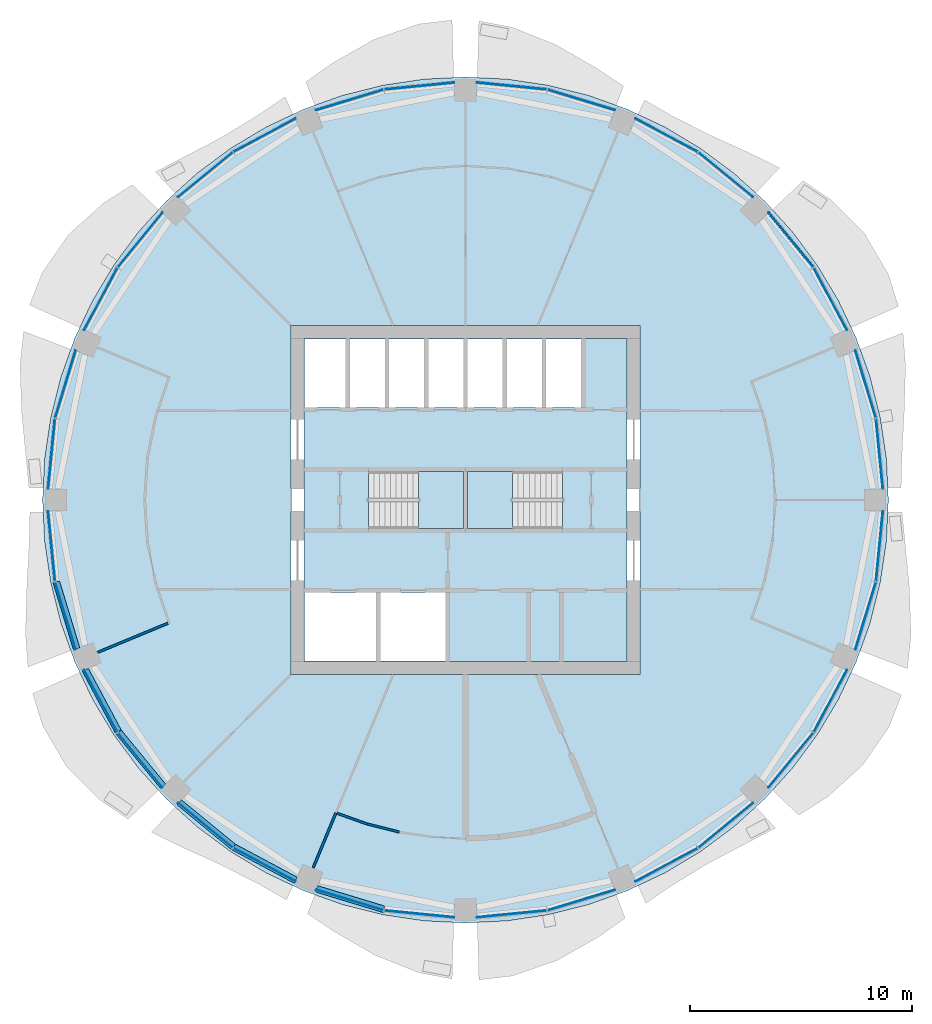
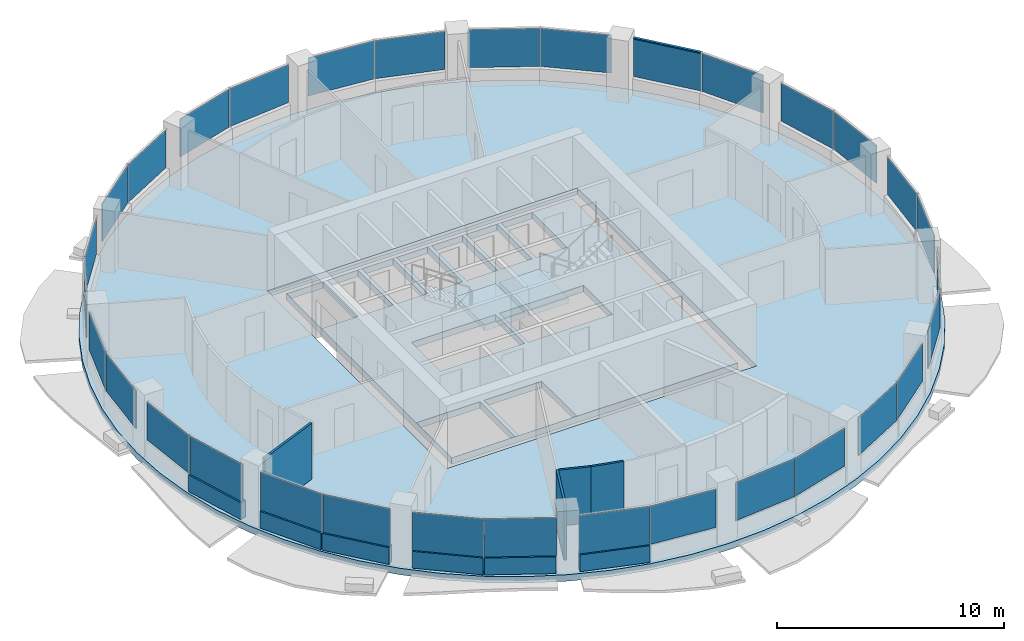
# One storey, part 7 of 15: 32 plates, 10 walls, 4 slabs, 1 member, 18 elements without a shape of their own.
"""IFC4 building model written with IfcOpenShell, lengths in metres."""

from ifc_helpers import new_model, si_unit, direction, frame, frame_2d, origin, origin_2d, place, context, subcontext, project, spatial, polyline, rectangle, outline, extrude, material, layer, layer_set, material_profile, profile_set, type_object, element, aggregate, save


model = new_model("IFC4")

# Units and contexts
model_context = context("Model", 3, precision=1e-05, world=origin(), true_north=direction((0.0, 1.0)))
body_context = subcontext(model_context, "Body", "Model", "MODEL_VIEW")
ifc_project = project(units=[si_unit("LENGTHUNIT", "METRE"), si_unit("AREAUNIT", "SQUARE_METRE"), si_unit("VOLUMEUNIT", "CUBIC_METRE"), si_unit("PLANEANGLEUNIT", "RADIAN"), si_unit("MASSUNIT", "GRAM", prefix="KILO")], contexts=[model_context])

# Site, building, storey
site_placement = place(None, origin())
site = spatial("IfcSite", under=ifc_project, at=site_placement, CompositionType="ELEMENT")
building_placement = place(site_placement, origin())
building = spatial("IfcBuilding", under=site, at=building_placement, Name="Polderwave Tower", CompositionType="ELEMENT")
storey_placement = place(building_placement, frame((0.0, 0.0, 127.64990234375)))
storey = spatial("IfcBuildingStorey", under=building, at=storey_placement, Name="L33", CompositionType="ELEMENT", Elevation=127.64990234375)

# Curtain wall, member
ifc_material_1 = material(Name="Aluminium 6063-T6 and glass", Category="aluminium")
curtain_wall_type = type_object("IfcCurtainWallType", Name="Office ribbon glazing wall", PredefinedType="NOTDEFINED", material=ifc_material_1)
curtain_wall_1_placement = place(storey_placement, origin())
curtain_wall_1 = element("IfcCurtainWall", 1, at=curtain_wall_1_placement, inside=storey, type_object=curtain_wall_type, Name="CW3 L33 01", PredefinedType="NOTDEFINED")
ifc_material_2 = material(Name="Aluminium 6063-T6", Category="aluminium")
ifc_material_profile = material_profile(ifc_material_2, rectangle(XDim=0.1201171875, YDim=0.06005859375, at=origin_2d()), Name="AL 60x120")
ifc_profile_set = profile_set([ifc_material_profile], Name="Aluminium 6063-T6")
member_type = type_object("IfcMemberType", Name="Office ribbon glazing transom 60x120", PredefinedType="USERDEFINED", material=ifc_profile_set)
member_placement = place(storey_placement, frame((15.66455078125, 10.499267578125, 2.97021484375), z_axis=(-0.634374481569, 0.773025883871, 0.0), x_axis=(-0.773025883871, -0.634374481569, 0.0)))
member = element("IfcMember", 2, at=member_placement, type_object=member_type, Name="CW3 transom 2", ObjectType="TRANSOM", PredefinedType="USERDEFINED", context=body_context, shape_type="SweptSolid", body=[
    extrude(rectangle(XDim=0.1201171875, YDim=0.06005859375, at=origin_2d()), origin(), (0.0, 0.0, 1.0), 3.167724609375),
])

# Slab
ifc_material_3 = material(Name="Concrete C40/50", Category="concrete")
ifc_layer_1 = layer(ifc_material_3, 0.35009765625)
ifc_layer_set_1 = layer_set([ifc_layer_1], Name="Core floor slab 350")
slab_type_1 = type_object("IfcSlabType", Name="Core floor slab 350", PredefinedType="FLOOR", material=ifc_layer_set_1)
slab_1_placement = place(storey_placement, frame((0.0, 0.0, -0.349853515625)))
element("IfcSlab", 3, at=slab_1_placement, inside=storey, type_object=slab_type_1, Name="L33 core floor", PredefinedType="FLOOR", context=body_context, shape_type="SweptSolid", body=[
    extrude(outline(polyline([(-7.27392578125, -7.27392578125), (7.27392578125, -7.27392578125), (7.27392578125, 7.27392578125), (-7.27392578125, 7.27392578125), (-7.27392578125, -7.27392578125)]), holes=[polyline([(-7.25390625, -7.25390625), (-4.037109375, -7.25390625), (-4.037109375, -4.174072265625), (-7.25390625, -4.174072265625), (-7.25390625, -7.25390625)]), polyline([(-3.8369140625, -7.25390625), (-0.89990234375, -7.25390625), (-0.89990234375, -4.174072265625), (-3.8369140625, -4.174072265625), (-3.8369140625, -7.25390625)]), polyline([(-7.25390625, 4.174072265625), (-5.405517578125, 4.174072265625), (-5.405517578125, 7.25390625), (-7.25390625, 7.25390625), (-7.25390625, 4.174072265625)]), polyline([(-5.20556640625, 4.174072265625), (-3.636962890625, 4.174072265625), (-3.636962890625, 7.25390625), (-5.20556640625, 7.25390625), (-5.20556640625, 4.174072265625)]), polyline([(-3.43701171875, 4.174072265625), (-1.868408203125, 4.174072265625), (-1.868408203125, 7.25390625), (-3.43701171875, 7.25390625), (-3.43701171875, 4.174072265625)]), polyline([(-1.66845703125, 4.174072265625), (-0.10009765625, 4.174072265625), (-0.10009765625, 7.25390625), (-1.66845703125, 7.25390625), (-1.66845703125, 4.174072265625)]), polyline([(0.10009765625, 4.174072265625), (1.66845703125, 4.174072265625), (1.66845703125, 7.25390625), (0.10009765625, 7.25390625), (0.10009765625, 4.174072265625)]), polyline([(1.868408203125, 4.174072265625), (3.43701171875, 4.174072265625), (3.43701171875, 7.25390625), (1.868408203125, 7.25390625), (1.868408203125, 4.174072265625)]), polyline([(3.636962890625, 4.174072265625), (5.20556640625, 4.174072265625), (5.20556640625, 7.25390625), (3.636962890625, 7.25390625), (3.636962890625, 4.174072265625)]), polyline([(-4.37353515625, -1.2744140625), (-0.1005859375, -1.2744140625), (-0.1005859375, 1.2744140625), (-4.37353515625, 1.2744140625), (-4.37353515625, -1.2744140625)]), polyline([(0.1005859375, -1.2744140625), (4.37353515625, -1.2744140625), (4.37353515625, 1.2744140625), (0.1005859375, 1.2744140625), (0.1005859375, -1.2744140625)])]), origin(), (0.0, 0.0, 1.0), 0.349853515625),
])

# Curtain wall, plates
curtain_wall_2_placement = place(storey_placement, origin())
curtain_wall_2 = element("IfcCurtainWall", 4, at=curtain_wall_2_placement, inside=storey, type_object=curtain_wall_type, Name="CW3 L33 00", PredefinedType="NOTDEFINED")
ifc_material_4 = material(Name="Glass, low-e laminated double glazing", Category="glass")
ifc_layer_2 = layer(ifc_material_4, 0.031982421875)
ifc_layer_set_2 = layer_set([ifc_layer_2], Name="Office ribbon glazing glass panel 32 mm")
plate_type = type_object("IfcPlateType", Name="Office ribbon glazing glass panel 32 mm", PredefinedType="CURTAIN_PANEL", material=ifc_layer_set_2)
plate_1_placement = place(storey_placement, frame((18.65576171875, 2.07568359375, 0.900146484375), z_axis=(0.0, 0.0, 1.0), x_axis=(-0.0979841387, 0.995187976496, 0.0)))
plate_1 = element("IfcPlate", 5, at=plate_1_placement, type_object=plate_type, Name="CW3 panel 1", PredefinedType="CURTAIN_PANEL", context=body_context, shape_type="SweptSolid", body=[
    extrude(rectangle(XDim=3.1669921875, YDim=0.031982421875, at=origin_2d()), origin(), (0.0, 0.0, 1.0), 2.0400390625),
])
plate_2_placement = place(storey_placement, frame((18.030029296875, 5.22119140625, 0.900146484375), z_axis=(0.0, 0.0, 1.0), x_axis=(-0.290389896585, 0.95690841148, 0.0)))
plate_2 = element("IfcPlate", 6, at=plate_2_placement, type_object=plate_type, Name="CW3 panel 2", PredefinedType="CURTAIN_PANEL", context=body_context, shape_type="SweptSolid", body=[
    extrude(rectangle(XDim=3.168212890625, YDim=0.031982421875, at=origin_2d()), origin(), (0.0, 0.0, 1.0), 2.0400390625),
])
aggregate(curtain_wall_2, [plate_1, plate_2])

# Plate
plate_3_placement = place(storey_placement, frame((16.44140625, 9.057373046875, 0.900146484375), z_axis=(0.0, 0.0, 1.0), x_axis=(-0.471466001306, 0.881884238215, 0.0)))
plate_3 = element("IfcPlate", 7, at=plate_3_placement, type_object=plate_type, Name="CW3 panel 1", PredefinedType="CURTAIN_PANEL", context=body_context, shape_type="SweptSolid", body=[
    extrude(rectangle(XDim=3.166748046875, YDim=0.031982421875, at=origin_2d()), origin(), (0.0, 0.0, 1.0), 2.0400390625),
])

plate_4_placement = place(storey_placement, frame((14.659912109375, 11.7236328125, 0.900146484375), z_axis=(0.0, 0.0, 1.0), x_axis=(-0.634378443311, 0.773022632697, 0.0)))
plate_4 = element("IfcPlate", 8, at=plate_4_placement, type_object=plate_type, Name="CW3 panel 2", PredefinedType="CURTAIN_PANEL", context=body_context, shape_type="SweptSolid", body=[
    extrude(rectangle(XDim=3.167724609375, YDim=0.031982421875, at=origin_2d()), origin(), (0.0, 0.0, 1.0), 2.0400390625),
])

aggregate(curtain_wall_1, [member, plate_3, plate_4])

# Curtain wall, plates
curtain_wall_3_placement = place(storey_placement, origin())
curtain_wall_3 = element("IfcCurtainWall", 9, at=curtain_wall_3_placement, inside=storey, type_object=curtain_wall_type, Name="CW3 L33 02", PredefinedType="NOTDEFINED")
plate_5_placement = place(storey_placement, frame((11.7236328125, 14.659912109375, 0.900146484375), z_axis=(0.0, 0.0, 1.0), x_axis=(-0.773022632697, 0.634378443311, 0.0)))
plate_5 = element("IfcPlate", 10, at=plate_5_placement, type_object=plate_type, Name="CW3 panel 1", PredefinedType="CURTAIN_PANEL", context=body_context, shape_type="SweptSolid", body=[
    extrude(rectangle(XDim=3.167724609375, YDim=0.031982421875, at=origin_2d()), origin(), (0.0, 0.0, 1.0), 2.0400390625),
])
plate_6_placement = place(storey_placement, frame((9.057373046875, 16.44140625, 0.900146484375), z_axis=(0.0, 0.0, 1.0), x_axis=(-0.881884238215, 0.471466001306, 0.0)))
plate_6 = element("IfcPlate", 11, at=plate_6_placement, type_object=plate_type, Name="CW3 panel 2", PredefinedType="CURTAIN_PANEL", context=body_context, shape_type="SweptSolid", body=[
    extrude(rectangle(XDim=3.166748046875, YDim=0.031982421875, at=origin_2d()), origin(), (0.0, 0.0, 1.0), 2.0400390625),
])
aggregate(curtain_wall_3, [plate_5, plate_6])

curtain_wall_4_placement = place(storey_placement, origin())
curtain_wall_4 = element("IfcCurtainWall", 12, at=curtain_wall_4_placement, inside=storey, type_object=curtain_wall_type, Name="CW3 L33 03", PredefinedType="NOTDEFINED")
plate_7_placement = place(storey_placement, frame((5.22119140625, 18.030029296875, 0.900146484375), z_axis=(0.0, 0.0, 1.0), x_axis=(-0.95690841148, 0.290389896585, 0.0)))
plate_7 = element("IfcPlate", 13, at=plate_7_placement, type_object=plate_type, Name="CW3 panel 1", PredefinedType="CURTAIN_PANEL", context=body_context, shape_type="SweptSolid", body=[
    extrude(rectangle(XDim=3.168212890625, YDim=0.031982421875, at=origin_2d()), origin(), (0.0, 0.0, 1.0), 2.0400390625),
])
plate_8_placement = place(storey_placement, frame((2.07568359375, 18.65576171875, 0.900146484375), z_axis=(0.0, 0.0, 1.0), x_axis=(-0.995187976496, 0.0979841387, 0.0)))
plate_8 = element("IfcPlate", 14, at=plate_8_placement, type_object=plate_type, Name="CW3 panel 2", PredefinedType="CURTAIN_PANEL", context=body_context, shape_type="SweptSolid", body=[
    extrude(rectangle(XDim=3.1669921875, YDim=0.031982421875, at=origin_2d()), origin(), (0.0, 0.0, 1.0), 2.0400390625),
])
aggregate(curtain_wall_4, [plate_7, plate_8])

curtain_wall_5_placement = place(storey_placement, origin())
curtain_wall_5 = element("IfcCurtainWall", 15, at=curtain_wall_5_placement, inside=storey, type_object=curtain_wall_type, Name="CW3 L33 04", PredefinedType="NOTDEFINED")
plate_9_placement = place(storey_placement, frame((-2.07568359375, 18.65576171875, 0.900146484375), z_axis=(0.0, 0.0, 1.0), x_axis=(-0.995187976496, -0.0979841387, 0.0)))
plate_9 = element("IfcPlate", 16, at=plate_9_placement, type_object=plate_type, Name="CW3 panel 1", PredefinedType="CURTAIN_PANEL", context=body_context, shape_type="SweptSolid", body=[
    extrude(rectangle(XDim=3.1669921875, YDim=0.031982421875, at=origin_2d()), origin(), (0.0, 0.0, 1.0), 2.0400390625),
])
plate_10_placement = place(storey_placement, frame((-5.22119140625, 18.030029296875, 0.900146484375), z_axis=(0.0, 0.0, 1.0), x_axis=(-0.95690841148, -0.290389896585, 0.0)))
plate_10 = element("IfcPlate", 17, at=plate_10_placement, type_object=plate_type, Name="CW3 panel 2", PredefinedType="CURTAIN_PANEL", context=body_context, shape_type="SweptSolid", body=[
    extrude(rectangle(XDim=3.168212890625, YDim=0.031982421875, at=origin_2d()), origin(), (0.0, 0.0, 1.0), 2.0400390625),
])
aggregate(curtain_wall_5, [plate_9, plate_10])

curtain_wall_6_placement = place(storey_placement, origin())
curtain_wall_6 = element("IfcCurtainWall", 18, at=curtain_wall_6_placement, inside=storey, type_object=curtain_wall_type, Name="CW3 L33 05", PredefinedType="NOTDEFINED")
plate_11_placement = place(storey_placement, frame((-9.057373046875, 16.44140625, 0.900146484375), z_axis=(0.0, 0.0, 1.0), x_axis=(-0.881884238215, -0.471466001306, 0.0)))
plate_11 = element("IfcPlate", 19, at=plate_11_placement, type_object=plate_type, Name="CW3 panel 1", PredefinedType="CURTAIN_PANEL", context=body_context, shape_type="SweptSolid", body=[
    extrude(rectangle(XDim=3.166748046875, YDim=0.031982421875, at=origin_2d()), origin(), (0.0, 0.0, 1.0), 2.0400390625),
])
plate_12_placement = place(storey_placement, frame((-11.7236328125, 14.659912109375, 0.900146484375), z_axis=(0.0, 0.0, 1.0), x_axis=(-0.773022632697, -0.634378443311, 0.0)))
plate_12 = element("IfcPlate", 20, at=plate_12_placement, type_object=plate_type, Name="CW3 panel 2", PredefinedType="CURTAIN_PANEL", context=body_context, shape_type="SweptSolid", body=[
    extrude(rectangle(XDim=3.167724609375, YDim=0.031982421875, at=origin_2d()), origin(), (0.0, 0.0, 1.0), 2.0400390625),
])
aggregate(curtain_wall_6, [plate_11, plate_12])

curtain_wall_7_placement = place(storey_placement, origin())
curtain_wall_7 = element("IfcCurtainWall", 21, at=curtain_wall_7_placement, inside=storey, type_object=curtain_wall_type, Name="CW3 L33 06", PredefinedType="NOTDEFINED")
plate_13_placement = place(storey_placement, frame((-14.659912109375, 11.7236328125, 0.900146484375), z_axis=(0.0, 0.0, 1.0), x_axis=(-0.634378443311, -0.773022632697, 0.0)))
plate_13 = element("IfcPlate", 22, at=plate_13_placement, type_object=plate_type, Name="CW3 panel 1", PredefinedType="CURTAIN_PANEL", context=body_context, shape_type="SweptSolid", body=[
    extrude(rectangle(XDim=3.167724609375, YDim=0.031982421875, at=origin_2d()), origin(), (0.0, 0.0, 1.0), 2.0400390625),
])
plate_14_placement = place(storey_placement, frame((-16.44140625, 9.057373046875, 0.900146484375), z_axis=(0.0, 0.0, 1.0), x_axis=(-0.471466001306, -0.881884238215, 0.0)))
plate_14 = element("IfcPlate", 23, at=plate_14_placement, type_object=plate_type, Name="CW3 panel 2", PredefinedType="CURTAIN_PANEL", context=body_context, shape_type="SweptSolid", body=[
    extrude(rectangle(XDim=3.166748046875, YDim=0.031982421875, at=origin_2d()), origin(), (0.0, 0.0, 1.0), 2.0400390625),
])
aggregate(curtain_wall_7, [plate_13, plate_14])

curtain_wall_8_placement = place(storey_placement, origin())
curtain_wall_8 = element("IfcCurtainWall", 24, at=curtain_wall_8_placement, inside=storey, type_object=curtain_wall_type, Name="CW3 L33 07", PredefinedType="NOTDEFINED")
plate_15_placement = place(storey_placement, frame((-18.030029296875, 5.22119140625, 0.900146484375), z_axis=(0.0, 0.0, 1.0), x_axis=(-0.290389896585, -0.95690841148, 0.0)))
plate_15 = element("IfcPlate", 25, at=plate_15_placement, type_object=plate_type, Name="CW3 panel 1", PredefinedType="CURTAIN_PANEL", context=body_context, shape_type="SweptSolid", body=[
    extrude(rectangle(XDim=3.168212890625, YDim=0.031982421875, at=origin_2d()), origin(), (0.0, 0.0, 1.0), 2.0400390625),
])
plate_16_placement = place(storey_placement, frame((-18.65576171875, 2.07568359375, 0.900146484375), z_axis=(0.0, 0.0, 1.0), x_axis=(-0.0979841387, -0.995187976496, 0.0)))
plate_16 = element("IfcPlate", 26, at=plate_16_placement, type_object=plate_type, Name="CW3 panel 2", PredefinedType="CURTAIN_PANEL", context=body_context, shape_type="SweptSolid", body=[
    extrude(rectangle(XDim=3.1669921875, YDim=0.031982421875, at=origin_2d()), origin(), (0.0, 0.0, 1.0), 2.0400390625),
])
aggregate(curtain_wall_8, [plate_15, plate_16])

curtain_wall_9_placement = place(storey_placement, origin())
curtain_wall_9 = element("IfcCurtainWall", 27, at=curtain_wall_9_placement, inside=storey, type_object=curtain_wall_type, Name="CW3 L33 08", PredefinedType="NOTDEFINED")
plate_17_placement = place(storey_placement, frame((-18.65576171875, -2.07568359375, 0.900146484375), z_axis=(0.0, 0.0, 1.0), x_axis=(0.0979841387, -0.995187976496, 0.0)))
plate_17 = element("IfcPlate", 28, at=plate_17_placement, type_object=plate_type, Name="CW3 panel 1", PredefinedType="CURTAIN_PANEL", context=body_context, shape_type="SweptSolid", body=[
    extrude(rectangle(XDim=3.1669921875, YDim=0.031982421875, at=origin_2d()), origin(), (0.0, 0.0, 1.0), 2.0400390625),
])
plate_18_placement = place(storey_placement, frame((-18.030029296875, -5.22119140625, 0.900146484375), z_axis=(0.0, 0.0, 1.0), x_axis=(0.290389896585, -0.95690841148, 0.0)))
plate_18 = element("IfcPlate", 29, at=plate_18_placement, type_object=plate_type, Name="CW3 panel 2", PredefinedType="CURTAIN_PANEL", context=body_context, shape_type="SweptSolid", body=[
    extrude(rectangle(XDim=3.168212890625, YDim=0.031982421875, at=origin_2d()), origin(), (0.0, 0.0, 1.0), 2.0400390625),
])
aggregate(curtain_wall_9, [plate_17, plate_18])

curtain_wall_10_placement = place(storey_placement, origin())
curtain_wall_10 = element("IfcCurtainWall", 30, at=curtain_wall_10_placement, inside=storey, type_object=curtain_wall_type, Name="CW3 L33 09", PredefinedType="NOTDEFINED")
plate_19_placement = place(storey_placement, frame((-16.44140625, -9.057373046875, 0.900146484375), z_axis=(0.0, 0.0, 1.0), x_axis=(0.471466001306, -0.881884238215, 0.0)))
plate_19 = element("IfcPlate", 31, at=plate_19_placement, type_object=plate_type, Name="CW3 panel 1", PredefinedType="CURTAIN_PANEL", context=body_context, shape_type="SweptSolid", body=[
    extrude(rectangle(XDim=3.166748046875, YDim=0.031982421875, at=origin_2d()), origin(), (0.0, 0.0, 1.0), 2.0400390625),
])
plate_20_placement = place(storey_placement, frame((-14.659912109375, -11.7236328125, 0.900146484375), z_axis=(0.0, 0.0, 1.0), x_axis=(0.634378443311, -0.773022632697, 0.0)))
plate_20 = element("IfcPlate", 32, at=plate_20_placement, type_object=plate_type, Name="CW3 panel 2", PredefinedType="CURTAIN_PANEL", context=body_context, shape_type="SweptSolid", body=[
    extrude(rectangle(XDim=3.167724609375, YDim=0.031982421875, at=origin_2d()), origin(), (0.0, 0.0, 1.0), 2.0400390625),
])
aggregate(curtain_wall_10, [plate_19, plate_20])

curtain_wall_11_placement = place(storey_placement, origin())
curtain_wall_11 = element("IfcCurtainWall", 33, at=curtain_wall_11_placement, inside=storey, type_object=curtain_wall_type, Name="CW3 L33 10", PredefinedType="NOTDEFINED")
plate_21_placement = place(storey_placement, frame((-11.7236328125, -14.659912109375, 0.900146484375), z_axis=(0.0, 0.0, 1.0), x_axis=(0.773022632697, -0.634378443311, 0.0)))
plate_21 = element("IfcPlate", 34, at=plate_21_placement, type_object=plate_type, Name="CW3 panel 1", PredefinedType="CURTAIN_PANEL", context=body_context, shape_type="SweptSolid", body=[
    extrude(rectangle(XDim=3.167724609375, YDim=0.031982421875, at=origin_2d()), origin(), (0.0, 0.0, 1.0), 2.0400390625),
])
plate_22_placement = place(storey_placement, frame((-9.057373046875, -16.44140625, 0.900146484375), z_axis=(0.0, 0.0, 1.0), x_axis=(0.881884238215, -0.471466001306, 0.0)))
plate_22 = element("IfcPlate", 35, at=plate_22_placement, type_object=plate_type, Name="CW3 panel 2", PredefinedType="CURTAIN_PANEL", context=body_context, shape_type="SweptSolid", body=[
    extrude(rectangle(XDim=3.166748046875, YDim=0.031982421875, at=origin_2d()), origin(), (0.0, 0.0, 1.0), 2.0400390625),
])
aggregate(curtain_wall_11, [plate_21, plate_22])

curtain_wall_12_placement = place(storey_placement, origin())
curtain_wall_12 = element("IfcCurtainWall", 36, at=curtain_wall_12_placement, inside=storey, type_object=curtain_wall_type, Name="CW3 L33 11", PredefinedType="NOTDEFINED")
plate_23_placement = place(storey_placement, frame((-5.22119140625, -18.030029296875, 0.900146484375), z_axis=(0.0, 0.0, 1.0), x_axis=(0.95690841148, -0.290389896585, 0.0)))
plate_23 = element("IfcPlate", 37, at=plate_23_placement, type_object=plate_type, Name="CW3 panel 1", PredefinedType="CURTAIN_PANEL", context=body_context, shape_type="SweptSolid", body=[
    extrude(rectangle(XDim=3.168212890625, YDim=0.031982421875, at=origin_2d()), origin(), (0.0, 0.0, 1.0), 2.0400390625),
])
plate_24_placement = place(storey_placement, frame((-2.07568359375, -18.65576171875, 0.900146484375), z_axis=(0.0, 0.0, 1.0), x_axis=(0.995187976496, -0.0979841387, 0.0)))
plate_24 = element("IfcPlate", 38, at=plate_24_placement, type_object=plate_type, Name="CW3 panel 2", PredefinedType="CURTAIN_PANEL", context=body_context, shape_type="SweptSolid", body=[
    extrude(rectangle(XDim=3.1669921875, YDim=0.031982421875, at=origin_2d()), origin(), (0.0, 0.0, 1.0), 2.0400390625),
])
aggregate(curtain_wall_12, [plate_23, plate_24])

curtain_wall_13_placement = place(storey_placement, origin())
curtain_wall_13 = element("IfcCurtainWall", 39, at=curtain_wall_13_placement, inside=storey, type_object=curtain_wall_type, Name="CW3 L33 12", PredefinedType="NOTDEFINED")
plate_25_placement = place(storey_placement, frame((2.07568359375, -18.65576171875, 0.900146484375), z_axis=(0.0, 0.0, 1.0), x_axis=(0.995187976496, 0.0979841387, 0.0)))
plate_25 = element("IfcPlate", 40, at=plate_25_placement, type_object=plate_type, Name="CW3 panel 1", PredefinedType="CURTAIN_PANEL", context=body_context, shape_type="SweptSolid", body=[
    extrude(rectangle(XDim=3.1669921875, YDim=0.031982421875, at=origin_2d()), origin(), (0.0, 0.0, 1.0), 2.0400390625),
])
plate_26_placement = place(storey_placement, frame((5.22119140625, -18.030029296875, 0.900146484375), z_axis=(0.0, 0.0, 1.0), x_axis=(0.95690841148, 0.290389896585, 0.0)))
plate_26 = element("IfcPlate", 41, at=plate_26_placement, type_object=plate_type, Name="CW3 panel 2", PredefinedType="CURTAIN_PANEL", context=body_context, shape_type="SweptSolid", body=[
    extrude(rectangle(XDim=3.168212890625, YDim=0.031982421875, at=origin_2d()), origin(), (0.0, 0.0, 1.0), 2.0400390625),
])
aggregate(curtain_wall_13, [plate_25, plate_26])

curtain_wall_14_placement = place(storey_placement, origin())
curtain_wall_14 = element("IfcCurtainWall", 42, at=curtain_wall_14_placement, inside=storey, type_object=curtain_wall_type, Name="CW3 L33 13", PredefinedType="NOTDEFINED")
plate_27_placement = place(storey_placement, frame((9.057373046875, -16.44140625, 0.900146484375), z_axis=(0.0, 0.0, 1.0), x_axis=(0.881884238215, 0.471466001306, 0.0)))
plate_27 = element("IfcPlate", 43, at=plate_27_placement, type_object=plate_type, Name="CW3 panel 1", PredefinedType="CURTAIN_PANEL", context=body_context, shape_type="SweptSolid", body=[
    extrude(rectangle(XDim=3.166748046875, YDim=0.031982421875, at=origin_2d()), origin(), (0.0, 0.0, 1.0), 2.0400390625),
])
plate_28_placement = place(storey_placement, frame((11.7236328125, -14.659912109375, 0.900146484375), z_axis=(0.0, 0.0, 1.0), x_axis=(0.773022632697, 0.634378443311, 0.0)))
plate_28 = element("IfcPlate", 44, at=plate_28_placement, type_object=plate_type, Name="CW3 panel 2", PredefinedType="CURTAIN_PANEL", context=body_context, shape_type="SweptSolid", body=[
    extrude(rectangle(XDim=3.167724609375, YDim=0.031982421875, at=origin_2d()), origin(), (0.0, 0.0, 1.0), 2.0400390625),
])
aggregate(curtain_wall_14, [plate_27, plate_28])

curtain_wall_15_placement = place(storey_placement, origin())
curtain_wall_15 = element("IfcCurtainWall", 45, at=curtain_wall_15_placement, inside=storey, type_object=curtain_wall_type, Name="CW3 L33 14", PredefinedType="NOTDEFINED")
plate_29_placement = place(storey_placement, frame((14.659912109375, -11.7236328125, 0.900146484375), z_axis=(0.0, 0.0, 1.0), x_axis=(0.634378443311, 0.773022632697, 0.0)))
plate_29 = element("IfcPlate", 46, at=plate_29_placement, type_object=plate_type, Name="CW3 panel 1", PredefinedType="CURTAIN_PANEL", context=body_context, shape_type="SweptSolid", body=[
    extrude(rectangle(XDim=3.167724609375, YDim=0.031982421875, at=origin_2d()), origin(), (0.0, 0.0, 1.0), 2.0400390625),
])
plate_30_placement = place(storey_placement, frame((16.44140625, -9.057373046875, 0.900146484375), z_axis=(0.0, 0.0, 1.0), x_axis=(0.471466001306, 0.881884238215, 0.0)))
plate_30 = element("IfcPlate", 47, at=plate_30_placement, type_object=plate_type, Name="CW3 panel 2", PredefinedType="CURTAIN_PANEL", context=body_context, shape_type="SweptSolid", body=[
    extrude(rectangle(XDim=3.166748046875, YDim=0.031982421875, at=origin_2d()), origin(), (0.0, 0.0, 1.0), 2.0400390625),
])
aggregate(curtain_wall_15, [plate_29, plate_30])

curtain_wall_16_placement = place(storey_placement, origin())
curtain_wall_16 = element("IfcCurtainWall", 48, at=curtain_wall_16_placement, inside=storey, type_object=curtain_wall_type, Name="CW3 L33 15", PredefinedType="NOTDEFINED")
plate_31_placement = place(storey_placement, frame((18.030029296875, -5.22119140625, 0.900146484375), z_axis=(0.0, 0.0, 1.0), x_axis=(0.290389896585, 0.95690841148, 0.0)))
plate_31 = element("IfcPlate", 49, at=plate_31_placement, type_object=plate_type, Name="CW3 panel 1", PredefinedType="CURTAIN_PANEL", context=body_context, shape_type="SweptSolid", body=[
    extrude(rectangle(XDim=3.168212890625, YDim=0.031982421875, at=origin_2d()), origin(), (0.0, 0.0, 1.0), 2.0400390625),
])
plate_32_placement = place(storey_placement, frame((18.65576171875, -2.07568359375, 0.900146484375), z_axis=(0.0, 0.0, 1.0), x_axis=(0.0979841387, 0.995187976496, 0.0)))
plate_32 = element("IfcPlate", 50, at=plate_32_placement, type_object=plate_type, Name="CW3 panel 2", PredefinedType="CURTAIN_PANEL", context=body_context, shape_type="SweptSolid", body=[
    extrude(rectangle(XDim=3.1669921875, YDim=0.031982421875, at=origin_2d()), origin(), (0.0, 0.0, 1.0), 2.0400390625),
])
aggregate(curtain_wall_16, [plate_31, plate_32])

# Slab
ifc_layer_3 = layer(ifc_material_3, 0.35009765625)
ifc_layer_set_3 = layer_set([ifc_layer_3], Name="PT FLOOR SLAB 350 C40/50")
slab_type_2 = type_object("IfcSlabType", Name="PT FLOOR SLAB 350 C40/50", PredefinedType="FLOOR", material=ifc_layer_set_3)
slab_2_placement = place(storey_placement, frame((0.0, 0.0, -0.349853515625)))
element("IfcSlab", 51, at=slab_2_placement, inside=storey, type_object=slab_type_2, Name="ST-SLAB-L33", PredefinedType="FLOOR", context=body_context, shape_type="SweptSolid", body=[
    extrude(outline(polyline([(19.06005859375, 0.0), (18.96826171875, 1.8681640625), (18.69384765625, 3.718505859375), (18.2392578125, 5.53271484375), (17.609130859375, 7.2939453125), (16.809326171875, 8.98486328125), (15.847900390625, 10.589111328125), (14.733642578125, 12.091552734375), (13.4775390625, 13.4775390625), (12.091552734375, 14.733642578125), (10.589111328125, 15.847900390625), (8.98486328125, 16.809326171875), (7.2939453125, 17.609130859375), (5.53271484375, 18.2392578125), (3.718505859375, 18.69384765625), (1.8681640625, 18.96826171875), (0.0, 19.06005859375), (-1.8681640625, 18.96826171875), (-3.718505859375, 18.69384765625), (-5.53271484375, 18.2392578125), (-7.2939453125, 17.609130859375), (-8.98486328125, 16.809326171875), (-10.589111328125, 15.847900390625), (-12.091552734375, 14.733642578125), (-13.4775390625, 13.4775390625), (-14.733642578125, 12.091552734375), (-15.847900390625, 10.589111328125), (-16.809326171875, 8.98486328125), (-17.609130859375, 7.2939453125), (-18.2392578125, 5.53271484375), (-18.69384765625, 3.718505859375), (-18.96826171875, 1.8681640625), (-19.06005859375, 0.0), (-18.96826171875, -1.8681640625), (-18.69384765625, -3.718505859375), (-18.2392578125, -5.53271484375), (-17.609130859375, -7.2939453125), (-16.809326171875, -8.98486328125), (-15.847900390625, -10.589111328125), (-14.733642578125, -12.091552734375), (-13.4775390625, -13.4775390625), (-12.091552734375, -14.733642578125), (-10.589111328125, -15.847900390625), (-8.98486328125, -16.809326171875), (-7.2939453125, -17.609130859375), (-5.53271484375, -18.2392578125), (-3.718505859375, -18.69384765625), (-1.8681640625, -18.96826171875), (0.0, -19.06005859375), (1.8681640625, -18.96826171875), (3.718505859375, -18.69384765625), (5.53271484375, -18.2392578125), (7.2939453125, -17.609130859375), (8.98486328125, -16.809326171875), (10.589111328125, -15.847900390625), (12.091552734375, -14.733642578125), (13.4775390625, -13.4775390625), (14.733642578125, -12.091552734375), (15.847900390625, -10.589111328125), (16.809326171875, -8.98486328125), (17.609130859375, -7.2939453125), (18.2392578125, -5.53271484375), (18.69384765625, -3.718505859375), (18.96826171875, -1.8681640625), (19.06005859375, 0.0)]), holes=[polyline([(-7.8740234375, -7.8740234375), (7.8740234375, -7.8740234375), (7.8740234375, 7.8740234375), (-7.8740234375, 7.8740234375), (-7.8740234375, -7.8740234375)])]), origin(), (0.0, 0.0, 1.0), 0.349853515625),
])

# Stair, slab
stair_type = type_object("IfcStairType", Name="Exit stair 1200 x 20 risers", PredefinedType="HALF_TURN_STAIR", material=ifc_material_3)
stair_1_placement = place(storey_placement, origin())
stair_1 = element("IfcStair", 52, at=stair_1_placement, inside=storey, type_object=stair_type, Name="L33 Exit stair A", PredefinedType="HALF_TURN_STAIR")
ifc_layer_4 = layer(ifc_material_3, 0.300048828125)
ifc_layer_set_4 = layer_set([ifc_layer_4], Name="Stair landing 300")
slab_type_3 = type_object("IfcSlabType", Name="Stair landing 300", PredefinedType="LANDING", material=ifc_layer_set_4)
slab_3_placement = place(storey_placement, frame((0.0, 0.0, 1.375)))
slab_3 = element("IfcSlab", 53, at=slab_3_placement, type_object=slab_type_3, Name="ST-A landing 1", PredefinedType="LANDING", context=body_context, shape_type="SweptSolid", body=[
    extrude(outline(polyline([(-2.1240234375, -1.27490234375), (-0.10009765625, -1.27490234375), (-0.10009765625, 1.27490234375), (-2.1240234375, 1.27490234375), (-2.1240234375, -1.27490234375)])), origin(), (0.0, 0.0, 1.0), 0.300048828125),
])
aggregate(stair_1, [slab_3])

stair_2_placement = place(storey_placement, origin())
stair_2 = element("IfcStair", 54, at=stair_2_placement, inside=storey, type_object=stair_type, Name="L33 Exit stair B", PredefinedType="HALF_TURN_STAIR")
slab_4_placement = place(storey_placement, frame((0.0, 0.0, 1.375)))
slab_4 = element("IfcSlab", 55, at=slab_4_placement, type_object=slab_type_3, Name="ST-B landing 1", PredefinedType="LANDING", context=body_context, shape_type="SweptSolid", body=[
    extrude(outline(polyline([(2.1240234375, 1.27490234375), (0.10009765625, 1.27490234375), (0.10009765625, -1.27490234375), (2.1240234375, -1.27490234375), (2.1240234375, 1.27490234375)])), origin(), (0.0, 0.0, 1.0), 0.300048828125),
])
aggregate(stair_2, [slab_4])

# Walls
ifc_material_5 = material(Name="Concrete C50/60 (board-marked)", Category="concrete")
ifc_layer_5 = layer(ifc_material_5, 0.300048828125)
ifc_layer_set_5 = layer_set([ifc_layer_5], Name="Concrete spandrel upstand C50/60")
wall_type_1 = type_object("IfcWallType", Name="Concrete spandrel upstand C50/60", PredefinedType="SOLIDWALL", material=ifc_layer_set_5)
wall_1_placement = place(storey_placement, frame((-18.444580078125, -3.683349609375, 0.0), z_axis=(0.0, 0.0, 1.0), x_axis=(0.290503096001, -0.956874051907, 0.0)))
element("IfcWall", 56, at=wall_1_placement, inside=storey, type_object=wall_type_1, Name="Spandrel L33 9b", PredefinedType="SOLIDWALL", context=body_context, shape_type="SweptSolid", body=[
    extrude(rectangle(XDim=3.157470703125, YDim=0.300048828125, at=frame_2d((1.57861328125, 0.0))), origin(), (0.0, 0.0, 1.0), 0.900146484375),
])
wall_2_placement = place(storey_placement, frame((-17.135009765625, -7.654296875, 0.0), z_axis=(0.0, 0.0, 1.0), x_axis=(0.471527722113, -0.881851238747, 0.0)))
element("IfcWall", 57, at=wall_2_placement, inside=storey, type_object=wall_type_1, Name="Spandrel L33 10a", PredefinedType="SOLIDWALL", context=body_context, shape_type="SweptSolid", body=[
    extrude(rectangle(XDim=3.1552734375, YDim=0.300048828125, at=frame_2d((1.57763671875, 0.0))), origin(), (0.0, 0.0, 1.0), 0.900146484375),
])
for number, where, z_axis, x_axis, name in (
    (58, (-15.630615234375, -10.461669921875, 0.0), (0.0, 0.0, 1.0), (0.634239575548, -0.773136573193, 0.0), "Spandrel L33 10b"),
    (59, (-12.90234375, -13.62841796875, 0.0), (0.0, 0.0, 1.0), (0.773136573193, -0.634239575548, 0.0), "Spandrel L33 11a"),
):
    element("IfcWall", number, at=place(storey_placement, frame(where, z_axis=z_axis, x_axis=x_axis)), inside=storey, type_object=wall_type_1, Name=name, PredefinedType="SOLIDWALL", context=body_context, shape_type="SweptSolid", body=[
        extrude(rectangle(XDim=3.15673828125, YDim=0.300048828125, at=frame_2d((1.578369140625, 0.0))), origin(), (0.0, 0.0, 1.0), 0.900146484375),
    ])
wall_3_placement = place(storey_placement, frame((-10.436767578125, -15.647216796875, 0.0), z_axis=(0.0, 0.0, 1.0), x_axis=(0.881851238747, -0.471527722113, 0.0)))
element("IfcWall", 60, at=wall_3_placement, inside=storey, type_object=wall_type_1, Name="Spandrel L33 11b", PredefinedType="SOLIDWALL", context=body_context, shape_type="SweptSolid", body=[
    extrude(rectangle(XDim=3.1552734375, YDim=0.300048828125, at=frame_2d((1.57763671875, 0.0))), origin(), (0.0, 0.0, 1.0), 0.900146484375),
])
wall_4_placement = place(storey_placement, frame((-6.70458984375, -17.52734375, 0.0), z_axis=(0.0, 0.0, 1.0), x_axis=(0.956874051907, -0.290503096001, 0.0)))
element("IfcWall", 61, at=wall_4_placement, inside=storey, type_object=wall_type_1, Name="Spandrel L33 12a", PredefinedType="SOLIDWALL", context=body_context, shape_type="SweptSolid", body=[
    extrude(rectangle(XDim=3.157470703125, YDim=0.300048828125, at=frame_2d((1.57861328125, 0.0))), origin(), (0.0, 0.0, 1.0), 0.900146484375),
])
ifc_material_6 = material(Name="Moisture-resistant board on steel studs, tiled", Category="steel")
ifc_layer_6 = layer(ifc_material_6, 0.10498046875)
ifc_layer_set_6 = layer_set([ifc_layer_6], Name="Partition 105 mm wet room board and tile")
wall_type_2 = type_object("IfcWallType", Name="Partition 105 mm wet room board and tile", PredefinedType="PARTITIONING", material=ifc_layer_set_6)
wall_5_placement = place(storey_placement, frame((-4.43212890625, -14.60205078125, 0.0), z_axis=(0.0, 0.0, 1.0), x_axis=(-0.941561150217, 0.336842100105, 0.0)))
element("IfcWall", 62, at=wall_5_placement, inside=storey, type_object=wall_type_2, Name="IN-L33-W040", PredefinedType="PARTITIONING", context=body_context, shape_type="SweptSolid", body=[
    extrude(rectangle(XDim=1.437255859375, YDim=0.10498046875, at=frame_2d((0.71875, 0.0))), origin(), (0.0, 0.0, 1.0), 3.0),
])
wall_6_placement = place(storey_placement, frame((-2.9794921875, -14.96630859375, 0.0), z_axis=(0.0, 0.0, 1.0), x_axis=(-0.970007640584, 0.243074427303, 0.0)))
element("IfcWall", 63, at=wall_6_placement, inside=storey, type_object=wall_type_2, Name="IN-L33-W041", PredefinedType="PARTITIONING", context=body_context, shape_type="SweptSolid", body=[
    extrude(rectangle(XDim=1.492431640625, YDim=0.10498046875, at=frame_2d((0.74609375, 0.0))), origin(), (0.0, 0.0, 1.0), 3.0),
])
ifc_material_7 = material(Name="Acoustic double plasterboard on steel studs", Category="steel")
ifc_layer_7 = layer(ifc_material_7, 0.110107421875)
ifc_layer_set_7 = layer_set([ifc_layer_7], Name="Partition 110 mm acoustic double board")
wall_type_3 = type_object("IfcWallType", Name="Partition 110 mm acoustic double board", PredefinedType="PARTITIONING", material=ifc_layer_set_7)
wall_7_placement = place(storey_placement, frame((-13.41357421875, -5.55615234375, 0.0), z_axis=(0.0, 0.0, 1.0), x_axis=(-0.923881629558, -0.382678369606, 0.0)))
element("IfcWall", 64, at=wall_7_placement, inside=storey, type_object=wall_type_3, Name="IN-L33-W036", PredefinedType="PARTITIONING", context=body_context, shape_type="SweptSolid", body=[
    extrude(rectangle(XDim=3.411376953125, YDim=0.110107421875, at=frame_2d((1.70556640625, 0.0))), origin(), (0.0, 0.0, 1.0), 3.0),
])
wall_8_placement = place(storey_placement, frame((-5.839599609375, -14.098388671875, 0.0), z_axis=(0.0, 0.0, 1.0), x_axis=(-0.382744787218, -0.923854116112, 0.0)))
element("IfcWall", 65, at=wall_8_placement, inside=storey, type_object=wall_type_3, Name="IN-L33-W039", PredefinedType="PARTITIONING", context=body_context, shape_type="SweptSolid", body=[
    extrude(rectangle(XDim=2.670166015625, YDim=0.110107421875, at=frame_2d((1.3349609375, 0.0))), origin(), (0.0, 0.0, 1.0), 3.0),
])

save(model, "model.ifc")
